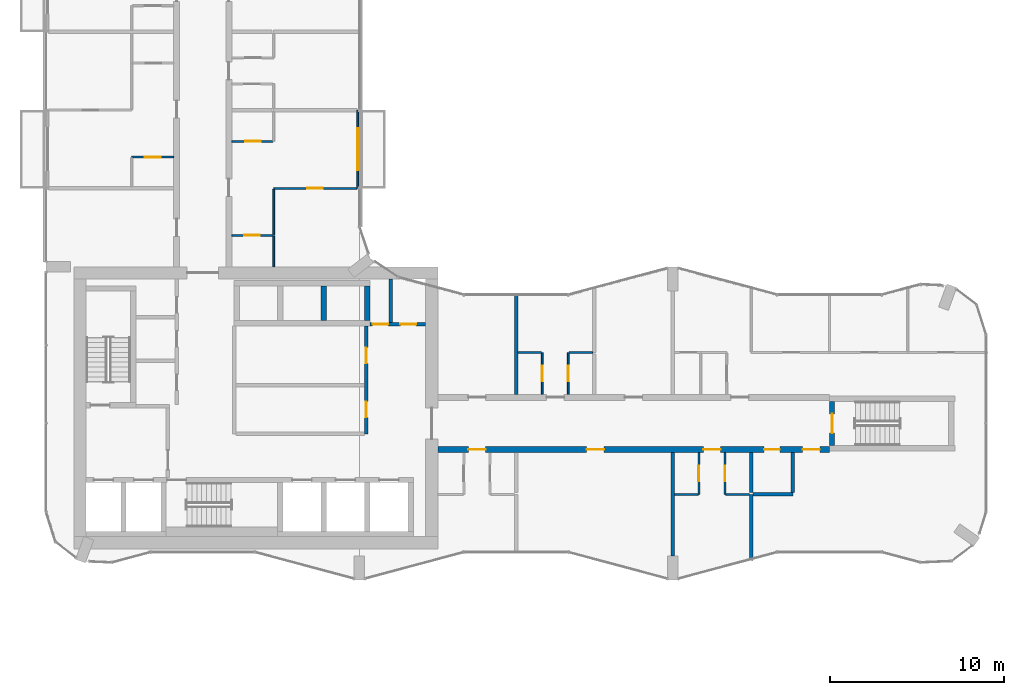
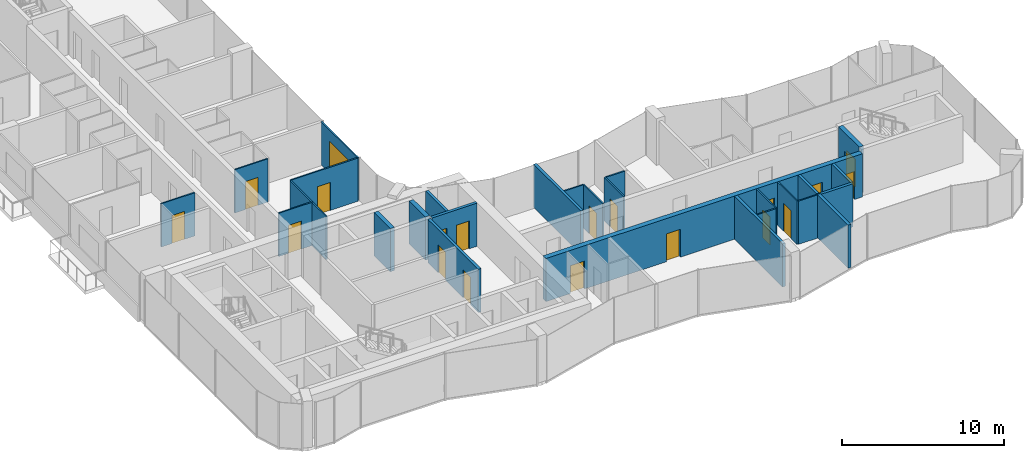
# One storey, part 14 of 22: 28 walls, 19 doors, 19 openings.
"""IFC4 building model written with IfcOpenShell, lengths in metres."""

import ifcopenshell
import ifcopenshell.guid

model = None  # the IFC model being written
_history = None  # IfcOwnerHistory: only IFC2X3 demands one
_inside = {}  # id of a spatial element -> (the spatial element, [elements in it])
_under = {}  # id of a project, library or spatial element -> (it, [spatial elements below it])
_declared = {}  # id of a project -> (the project, [libraries it declares])
_typed = {}  # id of a type object -> (the type object, [elements of that type])
_made_of = {}  # id of a material, layer set ... -> (it, [elements and type objects made of it])


def new_model(schema):
    """Start an empty IFC model of exactly this schema.

    Asked for "IFC4X3", IfcOpenShell would pick the latest addendum, in which some entities
    have other attributes; the version numbers below select the first issue.
    IFC2X3 requires an IfcOwnerHistory on every rooted entity: one is made here for all.
    """
    global model, _history
    if schema == "IFC4X3":
        model = ifcopenshell.file(schema_version=(4, 3, 0, 0))
    else:
        model = ifcopenshell.file(schema=schema)
    _inside.clear()
    _under.clear()
    _declared.clear()
    _typed.clear()
    _made_of.clear()
    _history = None
    if model.schema == "IFC2X3":
        org = make("IfcOrganization", Name="unknown")
        user = make(
            "IfcPersonAndOrganization",
            ThePerson=make("IfcPerson", FamilyName="unknown"),
            TheOrganization=org,
        )
        app = make(
            "IfcApplication",
            ApplicationDeveloper=org,
            Version="unknown",
            ApplicationFullName="unknown",
            ApplicationIdentifier="unknown",
        )
        _history = make(
            "IfcOwnerHistory",
            OwningUser=user,
            OwningApplication=app,
            ChangeAction="ADDED",
            CreationDate=0,
        )
    return model


def make(cls, **values):
    """One entity of the class cls with the attributes given. An attribute that is None is left unset."""
    return model.create_entity(
        cls, **{name: value for name, value in values.items() if value is not None}
    )


def rooted(cls, **values):
    """An entity with a GlobalId (a new one), such as an element, a storey or a relation."""
    return make(cls, GlobalId=ifcopenshell.guid.new(), OwnerHistory=_history, **values)


def si_unit(unit_type, name, prefix=None):
    """IfcSIUnit, for example si_unit("LENGTHUNIT", "METRE", prefix="MILLI")."""
    return make("IfcSIUnit", UnitType=unit_type, Prefix=prefix, Name=name)


def assignment(units):
    """IfcUnitAssignment: the units of a project."""
    return None if units is None else make("IfcUnitAssignment", Units=units)


def point(xyz):
    """IfcCartesianPoint."""
    return None if xyz is None else make("IfcCartesianPoint", Coordinates=xyz)


def direction(xyz):
    """IfcDirection."""
    return None if xyz is None else make("IfcDirection", DirectionRatios=xyz)


def frame(location, z_axis=None, x_axis=None):
    """IfcAxis2Placement3D, a coordinate frame: its origin and axes. An axis left out is left unset."""
    return make(
        "IfcAxis2Placement3D",
        Location=point(location),
        Axis=direction(z_axis),
        RefDirection=direction(x_axis),
    )


def frame_2d(location, x_axis=None):
    """IfcAxis2Placement2D, a coordinate frame in the plane: its origin and x axis."""
    return make(
        "IfcAxis2Placement2D", Location=point(location), RefDirection=direction(x_axis)
    )


def origin():
    """The frame at (0, 0, 0) with its axes left unset."""
    return frame((0.0, 0.0, 0.0))


def place(relative_to, where):
    """IfcLocalPlacement: puts the frame where relative to a parent placement (None: the world)."""
    return make(
        "IfcLocalPlacement", PlacementRelTo=relative_to, RelativePlacement=where
    )


def context(
    kind, dimensions, precision=None, world=None, true_north=None, identifier=None
):
    """IfcGeometricRepresentationContext, for example the 3D "Model" context."""
    return make(
        "IfcGeometricRepresentationContext",
        ContextIdentifier=identifier,
        ContextType=kind,
        CoordinateSpaceDimension=dimensions,
        Precision=precision,
        WorldCoordinateSystem=world,
        TrueNorth=true_north,
    )


def subcontext(parent, identifier, kind, view, scale=None):
    """IfcGeometricRepresentationSubContext, for example "Body" below "Model"."""
    return make(
        "IfcGeometricRepresentationSubContext",
        ContextIdentifier=identifier,
        ContextType=kind,
        ParentContext=parent,
        TargetScale=scale,
        TargetView=view,
    )


def project(units=None, contexts=None):
    """IfcProject with its units and contexts."""
    return rooted(
        "IfcProject",
        Name="project",
        RepresentationContexts=contexts,
        UnitsInContext=assignment(units),
    )


def spatial(cls, under=None, at=None, **own):
    """A site, building, storey or space (cls), placed at a placement, below another one or the project."""
    s = rooted(cls, ObjectPlacement=at, **own)
    if under is not None:
        _under.setdefault(under.id(), (under, []))[1].append(s)
    return s


def profile(cls, at=None, kind="AREA", **sizes):
    """A parametric profile (cls). Its sizes go by their IFC names, for example OverallWidth=200.0."""
    return make(cls, ProfileType=kind, Position=at, **sizes)


def rectangle(**sizes):
    """IfcRectangleProfileDef."""
    return profile("IfcRectangleProfileDef", **sizes)


def extrude(swept, where, along, depth):
    """IfcExtrudedAreaSolid: the profile swept, set in the frame where, extruded along a direction by depth."""
    return make(
        "IfcExtrudedAreaSolid",
        SweptArea=swept,
        Position=where,
        ExtrudedDirection=direction(along),
        Depth=depth,
    )


def shape(context_of_items, identifier, shape_type, items):
    """IfcShapeRepresentation: the items that make up one representation, for example the "Body"."""
    return make(
        "IfcShapeRepresentation",
        ContextOfItems=context_of_items,
        RepresentationIdentifier=identifier,
        RepresentationType=shape_type,
        Items=items,
    )


def material(Name=None, Category=None):
    """IfcMaterial."""
    return make("IfcMaterial", Name=Name, Category=Category)


def layer(
    of_material, thickness, ventilated=None, Name=None, Category=None, Priority=None
):
    """IfcMaterialLayer: one layer of a wall or slab, of a material (None: an air gap)."""
    return make(
        "IfcMaterialLayer",
        Material=of_material,
        LayerThickness=thickness,
        IsVentilated=ventilated,
        Name=Name,
        Category=Category,
        Priority=Priority,
    )


def layer_set(layers, Name=None):
    """IfcMaterialLayerSet."""
    return make("IfcMaterialLayerSet", MaterialLayers=layers, LayerSetName=Name)


def made_of(thing, what):
    """Note that an element or type object is made of a material, layer set ...; save() writes the relation."""
    if what is not None:
        _made_of.setdefault(what.id(), (what, []))[1].append(thing)
    return thing


def type_object(cls, material=None, **own):
    """A type object (cls), such as IfcWallType, which elements share."""
    return made_of(rooted(cls, **own), material)


def element(
    cls,
    number,
    at=None,
    inside=None,
    cuts=None,
    type_object=None,
    material=None,
    context=None,
    identifier="Body",
    shape_type=None,
    held_by="IfcProductDefinitionShape",
    body=None,
    shapes=None,
    **own,
):
    """One element of the class cls, such as IfcWall. Its Tag is "e" and its number.

    at: its placement. inside: the storey or other place that contains it. cuts: it is an
    opening in that element (IfcRelVoidsElement). A single representation is given by context,
    identifier, shape_type and body (its items); several are given by shapes. held_by: the class
    of the entity that holds the representations. save() writes the other relations.
    """
    e = rooted(cls, Tag="e%d" % number, ObjectPlacement=at, **own)
    if body is not None:
        shapes = [shape(context, identifier, shape_type, body)]
    if shapes is not None:
        e.Representation = make(held_by, Representations=shapes)
    if inside is not None:
        _inside.setdefault(inside.id(), (inside, []))[1].append(e)
    if cuts is not None:
        rooted(
            "IfcRelVoidsElement", RelatingBuildingElement=cuts, RelatedOpeningElement=e
        )
    if type_object is not None:
        _typed.setdefault(type_object.id(), (type_object, []))[1].append(e)
    return made_of(e, material)


def fill(opening, filler):
    """IfcRelFillsElement: the door or window that sits in an opening."""
    return rooted(
        "IfcRelFillsElement",
        RelatingOpeningElement=opening,
        RelatedBuildingElement=filler,
    )


def aggregate(whole, parts):
    """IfcRelAggregates: a whole, such as a stair, and the parts it consists of."""
    return rooted("IfcRelAggregates", RelatingObject=whole, RelatedObjects=parts)


def save(model, path):
    """Write the relations noted so far, then the file.

    IfcRelAggregates (storeys below a building ...), IfcRelContainedInSpatialStructure (elements
    in a storey), IfcRelDefinesByType, IfcRelAssociatesMaterial and IfcRelDeclares: one each for
    every whole, place, type object, material and project.
    """
    for whole, parts in _under.values():
        aggregate(whole, parts)
    for where, things in _inside.values():
        rooted(
            "IfcRelContainedInSpatialStructure",
            RelatedElements=things,
            RelatingStructure=where,
        )
    for kind, things in _typed.values():
        rooted("IfcRelDefinesByType", RelatedObjects=things, RelatingType=kind)
    for what, things in _made_of.values():
        rooted("IfcRelAssociatesMaterial", RelatedObjects=things, RelatingMaterial=what)
    for by, libraries in _declared.values():
        rooted("IfcRelDeclares", RelatingContext=by, RelatedDefinitions=libraries)
    model.write(path)


model = new_model("IFC4")

# Units and contexts
model_context = context("Model", 3, precision=1e-05, world=origin(), true_north=direction((0.0, 1.0)))
body_context = subcontext(model_context, "Body", "Model", "MODEL_VIEW")
ifc_project = project(units=[si_unit("LENGTHUNIT", "METRE"), si_unit("AREAUNIT", "SQUARE_METRE"), si_unit("VOLUMEUNIT", "CUBIC_METRE"), si_unit("PLANEANGLEUNIT", "RADIAN"), si_unit("MASSUNIT", "GRAM", prefix="KILO")], contexts=[model_context])

# Site, building, storey
site_placement = place(None, origin())
site = spatial("IfcSite", under=ifc_project, at=site_placement, CompositionType="ELEMENT")
building_placement = place(site_placement, origin())
building = spatial("IfcBuilding", under=site, at=building_placement, Name="Plateau Cross Towers", CompositionType="ELEMENT")
storey_placement = place(building_placement, frame((0.0, 0.0, 61.800048828125)))
storey = spatial("IfcBuildingStorey", under=building, at=storey_placement, Name="L15", CompositionType="ELEMENT", Elevation=61.800048828125)

# Wall, opening, door
ifc_material_1 = material(Name="Aluminium framed glazing", Category="aluminium")
ifc_layer_1 = layer(ifc_material_1, 0.10009765625)
ifc_layer_set_1 = layer_set([ifc_layer_1], Name="Aluminium framed glazing")
wall_type_1 = type_object("IfcWallType", Name="Balcony screen wall 100", PredefinedType="STANDARD", material=ifc_layer_set_1)
wall_1_placement = place(storey_placement, frame((17.89990234375, 27.0, 0.0), z_axis=(0.0, 0.0, 1.0), x_axis=(0.0, -1.0, 0.0)))
wall_1 = element("IfcWall", 1, at=wall_1_placement, inside=storey, type_object=wall_type_1, Name="Balcony screen wall A-BAL-L15-04", PredefinedType="STANDARD", context=body_context, shape_type="SweptSolid", body=[
    extrude(rectangle(XDim=4.5, YDim=0.10009765625, at=frame_2d((2.25, 0.0))), origin(), (0.0, 0.0, 1.0), 3.25),
])
opening_1_placement = place(wall_1_placement, frame((1.050048828125, 0.0, 0.0)))
opening_1 = element("IfcOpeningElement", 2, at=opening_1_placement, cuts=wall_1, Name="Opening D-B24", PredefinedType="OPENING", context=body_context, shape_type="SweptSolid", body=[
    extrude(rectangle(XDim=2.39990234375, YDim=2.39990234375, at=frame_2d((1.199951171875, 1.199951171875))), frame((0.0, 0.06005859375, 0.0), z_axis=(0.0, -1.0, 0.0), x_axis=(1.0, 0.0, 0.0)), (0.0, 0.0, 1.0), 0.1201171875),
])
ifc_material_2 = material(Name="Aluminium frame, double glazing", Category="aluminium")
door_type_1 = type_object("IfcDoorType", Name="Balcony sliding door 2400", OperationType="NOTDEFINED", PredefinedType="DOOR", material=ifc_material_2)
door_1_placement = place(opening_1_placement, origin())
door_1 = element("IfcDoor", 3, at=door_1_placement, inside=storey, type_object=door_type_1, Name="Balcony door A-BAL-L15-04", OperationType="SINGLE_SWING_LEFT", OverallHeight=2.39990234375, OverallWidth=2.39990234375, PredefinedType="DOOR", context=body_context, shape_type="SweptSolid", body=[
    extrude(rectangle(XDim=2.39990234375, YDim=2.39990234375, at=frame_2d((1.199951171875, 1.199951171875))), frame((0.0, 0.02490234375, 0.0), z_axis=(0.0, -1.0, 0.0), x_axis=(1.0, 0.0, 0.0)), (0.0, 0.0, 1.0), 0.050048828125),
])
fill(opening_1, door_1)

# Wall, openings, doors
ifc_material_3 = material(Name="Concrete block, plastered both sides", Category="concrete")
ifc_layer_2 = layer(ifc_material_3, 0.199951171875)
ifc_layer_set_2 = layer_set([ifc_layer_2], Name="Concrete block, plastered both sides")
wall_type_2 = type_object("IfcWallType", Name="Core partition 200", PredefinedType="PARTITIONING", material=ifc_layer_set_2)
wall_2_placement = place(storey_placement, frame((18.39990234375, 8.39990234375, 0.0), z_axis=(0.0, 0.0, 1.0), x_axis=(0.0, 1.0, 0.0)))
wall_2 = element("IfcWall", 4, at=wall_2_placement, inside=storey, type_object=wall_type_2, Name="Core partition", PredefinedType="PARTITIONING", context=body_context, shape_type="SweptSolid", body=[
    extrude(rectangle(XDim=6.2001953125, YDim=0.199951171875, at=frame_2d((3.10009765625, 0.0))), origin(), (0.0, 0.0, 1.0), 3.25),
])
opening_2_placement = place(wall_2_placement, frame((0.949951171875, 0.0, 0.0)))
opening_2 = element("IfcOpeningElement", 5, at=opening_2_placement, cuts=wall_2, Name="Opening RD1", PredefinedType="OPENING", context=body_context, shape_type="SweptSolid", body=[
    extrude(rectangle(XDim=0.89990234375, YDim=2.10009765625, at=frame_2d((0.449951171875, 1.050048828125))), frame((0.0, 0.10986328125, 0.0), z_axis=(0.0, -1.0, 0.0), x_axis=(1.0, 0.0, 0.0)), (0.0, 0.0, 1.0), 0.219970703125),
])
opening_3_placement = place(wall_2_placement, frame((4.050048828125, 0.0, 0.0)))
opening_3 = element("IfcOpeningElement", 6, at=opening_3_placement, cuts=wall_2, Name="Opening RD1", PredefinedType="OPENING", context=body_context, shape_type="SweptSolid", body=[
    extrude(rectangle(XDim=0.89990234375, YDim=2.10009765625, at=frame_2d((0.449951171875, 1.050048828125))), frame((0.0, 0.10986328125, 0.0), z_axis=(0.0, -1.0, 0.0), x_axis=(1.0, 0.0, 0.0)), (0.0, 0.0, 1.0), 0.219970703125),
])
ifc_material_4 = material(Name="Timber, fire-resisting leaf", Category="wood")
door_type_2 = type_object("IfcDoorType", Name="Core service door 900", OperationType="NOTDEFINED", PredefinedType="DOOR", material=ifc_material_4)
door_2_placement = place(opening_2_placement, origin())
door_2 = element("IfcDoor", 7, at=door_2_placement, inside=storey, type_object=door_type_2, Name="Core service door RD1", OperationType="SINGLE_SWING_LEFT", OverallHeight=2.10009765625, OverallWidth=0.89990234375, PredefinedType="DOOR", context=body_context, shape_type="SweptSolid", body=[
    extrude(rectangle(XDim=0.89990234375, YDim=2.10009765625, at=frame_2d((0.449951171875, 1.050048828125))), frame((0.0, 0.02490234375, 0.0), z_axis=(0.0, -1.0, 0.0), x_axis=(1.0, 0.0, 0.0)), (0.0, 0.0, 1.0), 0.050048828125),
])
fill(opening_2, door_2)
door_3_placement = place(opening_3_placement, origin())
door_3 = element("IfcDoor", 8, at=door_3_placement, inside=storey, type_object=door_type_2, Name="Core service door RD1", OperationType="SINGLE_SWING_LEFT", OverallHeight=2.10009765625, OverallWidth=0.89990234375, PredefinedType="DOOR", context=body_context, shape_type="SweptSolid", body=[
    extrude(rectangle(XDim=0.89990234375, YDim=2.10009765625, at=frame_2d((0.449951171875, 1.050048828125))), frame((0.0, 0.02490234375, 0.0), z_axis=(0.0, -1.0, 0.0), x_axis=(1.0, 0.0, 0.0)), (0.0, 0.0, 1.0), 0.050048828125),
])
fill(opening_3, door_3)

wall_3_placement = place(storey_placement, frame((18.60009765625, 14.699951171875, 0.0), z_axis=(0.0, 0.0, 1.0), x_axis=(1.0, 0.0, 0.0)))
wall_3 = element("IfcWall", 9, at=wall_3_placement, inside=storey, type_object=wall_type_2, Name="Core partition", PredefinedType="PARTITIONING", context=body_context, shape_type="SweptSolid", body=[
    extrude(rectangle(XDim=3.199951171875, YDim=0.199951171875, at=frame_2d((1.60009765625, 0.0))), origin(), (0.0, 0.0, 1.0), 3.25),
])
opening_4_placement = place(wall_3_placement, frame((0.14990234375, 0.0, 0.0)))
opening_4 = element("IfcOpeningElement", 10, at=opening_4_placement, cuts=wall_3, Name="Opening RD2", PredefinedType="OPENING", context=body_context, shape_type="SweptSolid", body=[
    extrude(rectangle(XDim=0.89990234375, YDim=2.10009765625, at=frame_2d((0.449951171875, 1.050048828125))), frame((0.0, 0.10986328125, 0.0), z_axis=(0.0, -1.0, 0.0), x_axis=(1.0, 0.0, 0.0)), (0.0, 0.0, 1.0), 0.219970703125),
])
opening_5_placement = place(wall_3_placement, frame((1.75, 0.0, 0.0)))
opening_5 = element("IfcOpeningElement", 11, at=opening_5_placement, cuts=wall_3, Name="Opening RD2", PredefinedType="OPENING", context=body_context, shape_type="SweptSolid", body=[
    extrude(rectangle(XDim=0.89990234375, YDim=2.10009765625, at=frame_2d((0.449951171875, 1.050048828125))), frame((0.0, 0.10986328125, 0.0), z_axis=(0.0, -1.0, 0.0), x_axis=(1.0, 0.0, 0.0)), (0.0, 0.0, 1.0), 0.219970703125),
])
ifc_material_5 = material(Name="Steel, fire-resisting leaf", Category="steel")
door_type_3 = type_object("IfcDoorType", Name="Core riser door 900", OperationType="NOTDEFINED", PredefinedType="DOOR", material=ifc_material_5)
door_4_placement = place(opening_4_placement, origin())
door_4 = element("IfcDoor", 12, at=door_4_placement, inside=storey, type_object=door_type_3, Name="Core riser door RD2", OperationType="SINGLE_SWING_LEFT", OverallHeight=2.10009765625, OverallWidth=0.89990234375, PredefinedType="DOOR", context=body_context, shape_type="SweptSolid", body=[
    extrude(rectangle(XDim=0.89990234375, YDim=2.10009765625, at=frame_2d((0.449951171875, 1.050048828125))), frame((0.0, 0.02490234375, 0.0), z_axis=(0.0, -1.0, 0.0), x_axis=(1.0, 0.0, 0.0)), (0.0, 0.0, 1.0), 0.050048828125),
])
fill(opening_4, door_4)
door_5_placement = place(opening_5_placement, origin())
door_5 = element("IfcDoor", 13, at=door_5_placement, inside=storey, type_object=door_type_3, Name="Core riser door RD2", OperationType="SINGLE_SWING_LEFT", OverallHeight=2.10009765625, OverallWidth=0.89990234375, PredefinedType="DOOR", context=body_context, shape_type="SweptSolid", body=[
    extrude(rectangle(XDim=0.89990234375, YDim=2.10009765625, at=frame_2d((0.449951171875, 1.050048828125))), frame((0.0, 0.02490234375, 0.0), z_axis=(0.0, -1.0, 0.0), x_axis=(1.0, 0.0, 0.0)), (0.0, 0.0, 1.0), 0.050048828125),
])
fill(opening_5, door_5)

# Walls
wall_4_placement = place(storey_placement, frame((19.800048828125, 14.800048828125, 0.0), z_axis=(0.0, 0.0, 1.0), x_axis=(0.0, 1.0, 0.0)))
element("IfcWall", 14, at=wall_4_placement, inside=storey, type_object=wall_type_2, Name="Core partition", PredefinedType="PARTITIONING", context=body_context, shape_type="SweptSolid", body=[
    extrude(rectangle(XDim=2.5, YDim=0.199951171875, at=frame_2d((1.25, 0.0))), origin(), (0.0, 0.0, 1.0), 3.25),
])
ifc_material_6 = material(Name="Concrete C60/75", Category="concrete")
ifc_layer_3 = layer(ifc_material_6, 0.300048828125)
ifc_layer_set_3 = layer_set([ifc_layer_3], Name="Concrete C60/75")
wall_type_3 = type_object("IfcWallType", Name="Core shaft wall 300", PredefinedType="SHEAR", material=ifc_layer_set_3)
for number, where, z_axis, x_axis, name in (
    (15, (15.949951171875, 14.89990234375, 0.0), (0.0, 0.0, 1.0), (0.0, 1.0, 0.0), "A-nb-v3@L15"),
    (16, (18.449951171875, 14.89990234375, 0.0), (0.0, 0.0, 1.0), (0.0, 1.0, 0.0), "A-nb-v4@L15"),
):
    element("IfcWall", number, at=place(storey_placement, frame(where, z_axis=z_axis, x_axis=x_axis)), inside=storey, type_object=wall_type_3, Name=name, PredefinedType="SHEAR", context=body_context, shape_type="SweptSolid", body=[
        extrude(rectangle(XDim=2.0, YDim=0.300048828125, at=frame_2d((1.0, 0.0))), origin(), (0.0, 0.0, 1.0), 3.25),
    ])

# Wall, openings, doors
ifc_layer_4 = layer(ifc_material_6, 0.35009765625)
ifc_layer_set_4 = layer_set([ifc_layer_4], Name="Concrete C60/75")
wall_type_4 = type_object("IfcWallType", Name="Corridor wall 350", PredefinedType="SHEAR", material=ifc_layer_set_4)
wall_5_placement = place(storey_placement, frame((22.5, 7.5, 0.0), z_axis=(0.0, 0.0, 1.0), x_axis=(1.0, 0.0, 0.0)))
wall_5 = element("IfcWall", 17, at=wall_5_placement, inside=storey, type_object=wall_type_4, Name="A-cw-S1@L15", PredefinedType="SHEAR", context=body_context, shape_type="SweptSolid", body=[
    extrude(rectangle(XDim=22.5, YDim=0.35009765625, at=frame_2d((11.25, 0.0))), origin(), (0.0, 0.0, 1.0), 3.25),
])
opening_6_placement = place(wall_5_placement, frame((1.75, 0.0, 0.0)))
opening_6 = element("IfcOpeningElement", 18, at=opening_6_placement, cuts=wall_5, Name="Opening 15-01", PredefinedType="OPENING", context=body_context, shape_type="SweptSolid", body=[
    extrude(rectangle(XDim=1.0, YDim=2.10009765625, at=frame_2d((0.5, 1.050048828125))), frame((0.0, 0.18505859375, 0.0), z_axis=(0.0, -1.0, 0.0), x_axis=(1.0, 0.0, 0.0)), (0.0, 0.0, 1.0), 0.3701171875),
])
opening_7_placement = place(wall_5_placement, frame((8.550048828125, 0.0, 0.0)))
opening_7 = element("IfcOpeningElement", 19, at=opening_7_placement, cuts=wall_5, Name="Opening 15-02", PredefinedType="OPENING", context=body_context, shape_type="SweptSolid", body=[
    extrude(rectangle(XDim=1.0, YDim=2.10009765625, at=frame_2d((0.5, 1.050048828125))), frame((0.0, 0.18505859375, 0.0), z_axis=(0.0, -1.0, 0.0), x_axis=(1.0, 0.0, 0.0)), (0.0, 0.0, 1.0), 0.3701171875),
])
opening_8_placement = place(wall_5_placement, frame((15.25, 0.0, 0.0)))
opening_8 = element("IfcOpeningElement", 20, at=opening_8_placement, cuts=wall_5, Name="Opening 15-03", PredefinedType="OPENING", context=body_context, shape_type="SweptSolid", body=[
    extrude(rectangle(XDim=1.0, YDim=2.10009765625, at=frame_2d((0.5, 1.050048828125))), frame((0.0, 0.18505859375, 0.0), z_axis=(0.0, -1.0, 0.0), x_axis=(1.0, 0.0, 0.0)), (0.0, 0.0, 1.0), 0.3701171875),
])
opening_9_placement = place(wall_5_placement, frame((18.75, 0.0, 0.0)))
opening_9 = element("IfcOpeningElement", 21, at=opening_9_placement, cuts=wall_5, Name="Opening 15-04", PredefinedType="OPENING", context=body_context, shape_type="SweptSolid", body=[
    extrude(rectangle(XDim=0.89990234375, YDim=2.10009765625, at=frame_2d((0.449951171875, 1.050048828125))), frame((0.0, 0.18505859375, 0.0), z_axis=(0.0, -1.0, 0.0), x_axis=(1.0, 0.0, 0.0)), (0.0, 0.0, 1.0), 0.3701171875),
])
opening_10_placement = place(wall_5_placement, frame((20.949951171875, 0.0, 0.0)))
opening_10 = element("IfcOpeningElement", 22, at=opening_10_placement, cuts=wall_5, Name="Opening 15-05", PredefinedType="OPENING", context=body_context, shape_type="SweptSolid", body=[
    extrude(rectangle(XDim=1.0, YDim=2.10009765625, at=frame_2d((0.5, 1.050048828125))), frame((0.0, 0.18505859375, 0.0), z_axis=(0.0, -1.0, 0.0), x_axis=(1.0, 0.0, 0.0)), (0.0, 0.0, 1.0), 0.3701171875),
])
door_type_4 = type_object("IfcDoorType", Name="Flat entrance door 1000", OperationType="NOTDEFINED", PredefinedType="DOOR", material=ifc_material_4)
door_6_placement = place(opening_6_placement, origin())
door_6 = element("IfcDoor", 23, at=door_6_placement, inside=storey, type_object=door_type_4, Name="Door 15-01", OperationType="SINGLE_SWING_LEFT", OverallHeight=2.10009765625, OverallWidth=1.0, PredefinedType="DOOR", context=body_context, shape_type="SweptSolid", body=[
    extrude(rectangle(XDim=1.0, YDim=2.10009765625, at=frame_2d((0.5, 1.050048828125))), frame((0.0, 0.02490234375, 0.0), z_axis=(0.0, -1.0, 0.0), x_axis=(1.0, 0.0, 0.0)), (0.0, 0.0, 1.0), 0.050048828125),
])
fill(opening_6, door_6)
door_7_placement = place(opening_7_placement, origin())
door_7 = element("IfcDoor", 24, at=door_7_placement, inside=storey, type_object=door_type_4, Name="Door 15-02", OperationType="SINGLE_SWING_LEFT", OverallHeight=2.10009765625, OverallWidth=1.0, PredefinedType="DOOR", context=body_context, shape_type="SweptSolid", body=[
    extrude(rectangle(XDim=1.0, YDim=2.10009765625, at=frame_2d((0.5, 1.050048828125))), frame((0.0, 0.02490234375, 0.0), z_axis=(0.0, -1.0, 0.0), x_axis=(1.0, 0.0, 0.0)), (0.0, 0.0, 1.0), 0.050048828125),
])
fill(opening_7, door_7)
door_8_placement = place(opening_8_placement, origin())
door_8 = element("IfcDoor", 25, at=door_8_placement, inside=storey, type_object=door_type_4, Name="Door 15-03", OperationType="SINGLE_SWING_RIGHT", OverallHeight=2.10009765625, OverallWidth=1.0, PredefinedType="DOOR", context=body_context, shape_type="SweptSolid", body=[
    extrude(rectangle(XDim=1.0, YDim=2.10009765625, at=frame_2d((0.5, 1.050048828125))), frame((0.0, 0.02490234375, 0.0), z_axis=(0.0, -1.0, 0.0), x_axis=(1.0, 0.0, 0.0)), (0.0, 0.0, 1.0), 0.050048828125),
])
fill(opening_8, door_8)
door_9_placement = place(opening_10_placement, origin())
door_9 = element("IfcDoor", 26, at=door_9_placement, inside=storey, type_object=door_type_4, Name="Door 15-05", OperationType="SINGLE_SWING_RIGHT", OverallHeight=2.10009765625, OverallWidth=1.0, PredefinedType="DOOR", context=body_context, shape_type="SweptSolid", body=[
    extrude(rectangle(XDim=1.0, YDim=2.10009765625, at=frame_2d((0.5, 1.050048828125))), frame((0.0, 0.02490234375, 0.0), z_axis=(0.0, -1.0, 0.0), x_axis=(1.0, 0.0, 0.0)), (0.0, 0.0, 1.0), 0.050048828125),
])
fill(opening_10, door_9)
door_type_5 = type_object("IfcDoorType", Name="Flat floor service door 900", OperationType="NOTDEFINED", PredefinedType="DOOR", material=ifc_material_4)
door_10_placement = place(opening_9_placement, origin())
door_10 = element("IfcDoor", 27, at=door_10_placement, inside=storey, type_object=door_type_5, Name="Door 15-04", OperationType="SINGLE_SWING_RIGHT", OverallHeight=2.10009765625, OverallWidth=0.89990234375, PredefinedType="DOOR", context=body_context, shape_type="SweptSolid", body=[
    extrude(rectangle(XDim=0.89990234375, YDim=2.10009765625, at=frame_2d((0.449951171875, 1.050048828125))), frame((0.0, 0.02490234375, 0.0), z_axis=(0.0, -1.0, 0.0), x_axis=(1.0, 0.0, 0.0)), (0.0, 0.0, 1.0), 0.050048828125),
])
fill(opening_9, door_10)

# Walls
ifc_material_7 = material(Name="Gypsum board on steel studs", Category="steel")
ifc_layer_5 = layer(ifc_material_7, 0.10009765625)
ifc_layer_set_5 = layer_set([ifc_layer_5], Name="Gypsum board on steel studs")
wall_type_5 = type_object("IfcWallType", Name="Flat partition 100", PredefinedType="PARTITIONING", material=ifc_layer_set_5)
for number, where, z_axis, x_axis, name in (
    (28, (36.10009765625, 4.925048828125, 0.0), (0.0, 0.0, 1.0), (1.0, 0.0, 0.0), "Partition wall"),
    (29, (39.050048828125, 4.925048828125, 0.0), (0.0, 0.0, 1.0), (1.0, 0.0, 0.0), "Partition wall"),
    (30, (28.449951171875, 13.074951171875, 0.0), (0.0, 0.0, 1.0), (-1.0, 0.0, 0.0), "Partition wall"),
    (31, (31.39990234375, 13.074951171875, 0.0), (0.0, 0.0, 1.0), (-1.0, 0.0, 0.0), "Partition wall"),
):
    element("IfcWall", number, at=place(storey_placement, frame(where, z_axis=z_axis, x_axis=x_axis)), inside=storey, type_object=wall_type_5, Name=name, PredefinedType="PARTITIONING", context=body_context, shape_type="SweptSolid", body=[
        extrude(rectangle(XDim=1.349853515625, YDim=0.10009765625, at=frame_2d((0.6748046875, 0.0))), origin(), (0.0, 0.0, 1.0), 3.25),
    ])

# Wall, opening, door
wall_6_placement = place(storey_placement, frame((13.02490234375, 19.800048828125, 0.0), z_axis=(0.0, 0.0, 1.0), x_axis=(-1.0, 0.0, 0.0)))
wall_6 = element("IfcWall", 32, at=wall_6_placement, inside=storey, type_object=wall_type_5, Name="Partition wall", PredefinedType="PARTITIONING", context=body_context, shape_type="SweptSolid", body=[
    extrude(rectangle(XDim=2.349853515625, YDim=0.10009765625, at=frame_2d((1.1748046875, 0.0))), origin(), (0.0, 0.0, 1.0), 3.25),
])
opening_11_placement = place(wall_6_placement, frame((0.75, 0.0, 0.0)))
opening_11 = element("IfcOpeningElement", 33, at=opening_11_placement, cuts=wall_6, Name="Opening 15-41", PredefinedType="OPENING", context=body_context, shape_type="SweptSolid", body=[
    extrude(rectangle(XDim=0.89990234375, YDim=2.10009765625, at=frame_2d((0.449951171875, 1.050048828125))), frame((0.0, 0.06005859375, 0.0), z_axis=(0.0, -1.0, 0.0), x_axis=(1.0, 0.0, 0.0)), (0.0, 0.0, 1.0), 0.1201171875),
])
ifc_material_8 = material(Name="Timber leaf", Category="wood")
door_type_6 = type_object("IfcDoorType", Name="Flat room door 900", OperationType="NOTDEFINED", PredefinedType="DOOR", material=ifc_material_8)
door_11_placement = place(opening_11_placement, origin())
door_11 = element("IfcDoor", 34, at=door_11_placement, inside=storey, type_object=door_type_6, Name="Door 15-41", OperationType="SINGLE_SWING_RIGHT", OverallHeight=2.10009765625, OverallWidth=0.89990234375, PredefinedType="DOOR", context=body_context, shape_type="SweptSolid", body=[
    extrude(rectangle(XDim=0.89990234375, YDim=2.10009765625, at=frame_2d((0.449951171875, 1.050048828125))), frame((0.0, 0.02490234375, 0.0), z_axis=(0.0, -1.0, 0.0), x_axis=(1.0, 0.0, 0.0)), (0.0, 0.0, 1.0), 0.050048828125),
])
fill(opening_11, door_11)

wall_7_placement = place(storey_placement, frame((17.85009765625, 22.5, 0.0), z_axis=(0.0, 0.0, 1.0), x_axis=(-1.0, 0.0, 0.0)))
wall_7 = element("IfcWall", 35, at=wall_7_placement, inside=storey, type_object=wall_type_5, Name="Partition wall", PredefinedType="PARTITIONING", context=body_context, shape_type="SweptSolid", body=[
    extrude(rectangle(XDim=4.775146484375, YDim=0.10009765625, at=frame_2d((2.3876953125, 0.0))), origin(), (0.0, 0.0, 1.0), 3.25),
])
opening_12_placement = place(wall_7_placement, frame((1.949951171875, 0.0, 0.0)))
opening_12 = element("IfcOpeningElement", 36, at=opening_12_placement, cuts=wall_7, Name="Opening 15-43", PredefinedType="OPENING", context=body_context, shape_type="SweptSolid", body=[
    extrude(rectangle(XDim=0.89990234375, YDim=2.10009765625, at=frame_2d((0.449951171875, 1.050048828125))), frame((0.0, 0.06005859375, 0.0), z_axis=(0.0, -1.0, 0.0), x_axis=(1.0, 0.0, 0.0)), (0.0, 0.0, 1.0), 0.1201171875),
])
door_12_placement = place(opening_12_placement, origin())
door_12 = element("IfcDoor", 37, at=door_12_placement, inside=storey, type_object=door_type_6, Name="Door 15-43", OperationType="SINGLE_SWING_RIGHT", OverallHeight=2.10009765625, OverallWidth=0.89990234375, PredefinedType="DOOR", context=body_context, shape_type="SweptSolid", body=[
    extrude(rectangle(XDim=0.89990234375, YDim=2.10009765625, at=frame_2d((0.449951171875, 1.050048828125))), frame((0.0, 0.02490234375, 0.0), z_axis=(0.0, -1.0, 0.0), x_axis=(1.0, 0.0, 0.0)), (0.0, 0.0, 1.0), 0.050048828125),
])
fill(opening_12, door_12)

wall_8_placement = place(storey_placement, frame((7.324951171875, 24.300048828125, 0.0), z_axis=(0.0, 0.0, 1.0), x_axis=(-1.0, 0.0, 0.0)))
wall_8 = element("IfcWall", 38, at=wall_8_placement, inside=storey, type_object=wall_type_5, Name="Partition wall", PredefinedType="PARTITIONING", context=body_context, shape_type="SweptSolid", body=[
    extrude(rectangle(XDim=2.39990234375, YDim=0.10009765625, at=frame_2d((1.199951171875, 0.0))), origin(), (0.0, 0.0, 1.0), 3.25),
])
opening_13_placement = place(wall_8_placement, frame((0.75, 0.0, 0.0)))
opening_13 = element("IfcOpeningElement", 39, at=opening_13_placement, cuts=wall_8, Name="Opening 15-31", PredefinedType="OPENING", context=body_context, shape_type="SweptSolid", body=[
    extrude(rectangle(XDim=0.89990234375, YDim=2.10009765625, at=frame_2d((0.449951171875, 1.050048828125))), frame((0.0, 0.06005859375, 0.0), z_axis=(0.0, -1.0, 0.0), x_axis=(1.0, 0.0, 0.0)), (0.0, 0.0, 1.0), 0.1201171875),
])
door_13_placement = place(opening_13_placement, origin())
door_13 = element("IfcDoor", 40, at=door_13_placement, inside=storey, type_object=door_type_6, Name="Door 15-31", OperationType="SINGLE_SWING_LEFT", OverallHeight=2.10009765625, OverallWidth=0.89990234375, PredefinedType="DOOR", context=body_context, shape_type="SweptSolid", body=[
    extrude(rectangle(XDim=0.89990234375, YDim=2.10009765625, at=frame_2d((0.449951171875, 1.050048828125))), frame((0.0, 0.02490234375, 0.0), z_axis=(0.0, -1.0, 0.0), x_axis=(1.0, 0.0, 0.0)), (0.0, 0.0, 1.0), 0.050048828125),
])
fill(opening_13, door_13)

wall_9_placement = place(storey_placement, frame((10.675048828125, 25.199951171875, 0.0), z_axis=(0.0, 0.0, 1.0), x_axis=(1.0, 0.0, 0.0)))
wall_9 = element("IfcWall", 41, at=wall_9_placement, inside=storey, type_object=wall_type_5, Name="Partition wall", PredefinedType="PARTITIONING", context=body_context, shape_type="SweptSolid", body=[
    extrude(rectangle(XDim=2.349853515625, YDim=0.10009765625, at=frame_2d((1.1748046875, 0.0))), origin(), (0.0, 0.0, 1.0), 3.25),
])
opening_14_placement = place(wall_9_placement, frame((0.75, 0.0, 0.0)))
opening_14 = element("IfcOpeningElement", 42, at=opening_14_placement, cuts=wall_9, Name="Opening 15-42", PredefinedType="OPENING", context=body_context, shape_type="SweptSolid", body=[
    extrude(rectangle(XDim=0.89990234375, YDim=2.10009765625, at=frame_2d((0.449951171875, 1.050048828125))), frame((0.0, 0.06005859375, 0.0), z_axis=(0.0, -1.0, 0.0), x_axis=(1.0, 0.0, 0.0)), (0.0, 0.0, 1.0), 0.1201171875),
])
door_14_placement = place(opening_14_placement, origin())
door_14 = element("IfcDoor", 43, at=door_14_placement, inside=storey, type_object=door_type_6, Name="Door 15-42", OperationType="SINGLE_SWING_RIGHT", OverallHeight=2.10009765625, OverallWidth=0.89990234375, PredefinedType="DOOR", context=body_context, shape_type="SweptSolid", body=[
    extrude(rectangle(XDim=0.89990234375, YDim=2.10009765625, at=frame_2d((0.449951171875, 1.050048828125))), frame((0.0, 0.02490234375, 0.0), z_axis=(0.0, -1.0, 0.0), x_axis=(1.0, 0.0, 0.0)), (0.0, 0.0, 1.0), 0.050048828125),
])
fill(opening_14, door_14)

# Walls
wall_10_placement = place(storey_placement, frame((13.074951171875, 22.449951171875, 0.0), z_axis=(0.0, 0.0, 1.0), x_axis=(0.0, -1.0, 0.0)))
element("IfcWall", 44, at=wall_10_placement, inside=storey, type_object=wall_type_5, Name="Partition wall", PredefinedType="PARTITIONING", context=body_context, shape_type="SweptSolid", body=[
    extrude(rectangle(XDim=2.64990234375, YDim=0.10009765625, at=frame_2d((1.324951171875, 0.0))), origin(), (0.0, 0.0, 1.0), 3.25),
])
wall_11_placement = place(storey_placement, frame((13.074951171875, 18.0, 0.0), z_axis=(0.0, 0.0, 1.0), x_axis=(0.0, 1.0, 0.0)))
element("IfcWall", 45, at=wall_11_placement, inside=storey, type_object=wall_type_5, Name="Partition wall", PredefinedType="PARTITIONING", context=body_context, shape_type="SweptSolid", body=[
    extrude(rectangle(XDim=1.75, YDim=0.10009765625, at=frame_2d((0.875, 0.0))), origin(), (0.0, 0.0, 1.0), 3.25),
])

# Wall, opening, door
wall_12_placement = place(storey_placement, frame((28.5, 10.675048828125, 0.0), z_axis=(0.0, 0.0, 1.0), x_axis=(0.0, 1.0, 0.0)))
wall_12 = element("IfcWall", 46, at=wall_12_placement, inside=storey, type_object=wall_type_5, Name="Partition wall", PredefinedType="PARTITIONING", context=body_context, shape_type="SweptSolid", body=[
    extrude(rectangle(XDim=2.39990234375, YDim=0.10009765625, at=frame_2d((1.199951171875, 0.0))), origin(), (0.0, 0.0, 1.0), 3.25),
])
opening_15_placement = place(wall_12_placement, frame((0.75, 0.0, 0.0)))
opening_15 = element("IfcOpeningElement", 47, at=opening_15_placement, cuts=wall_12, Name="Opening 15-24", PredefinedType="OPENING", context=body_context, shape_type="SweptSolid", body=[
    extrude(rectangle(XDim=0.89990234375, YDim=2.10009765625, at=frame_2d((0.449951171875, 1.050048828125))), frame((0.0, 0.06005859375, 0.0), z_axis=(0.0, -1.0, 0.0), x_axis=(1.0, 0.0, 0.0)), (0.0, 0.0, 1.0), 0.1201171875),
])
door_15_placement = place(opening_15_placement, origin())
door_15 = element("IfcDoor", 48, at=door_15_placement, inside=storey, type_object=door_type_6, Name="Door 15-24", OperationType="SINGLE_SWING_RIGHT", OverallHeight=2.10009765625, OverallWidth=0.89990234375, PredefinedType="DOOR", context=body_context, shape_type="SweptSolid", body=[
    extrude(rectangle(XDim=0.89990234375, YDim=2.10009765625, at=frame_2d((0.449951171875, 1.050048828125))), frame((0.0, 0.02490234375, 0.0), z_axis=(0.0, -1.0, 0.0), x_axis=(1.0, 0.0, 0.0)), (0.0, 0.0, 1.0), 0.050048828125),
])
fill(opening_15, door_15)

wall_13_placement = place(storey_placement, frame((30.0, 13.074951171875, 0.0), z_axis=(0.0, 0.0, 1.0), x_axis=(0.0, -1.0, 0.0)))
wall_13 = element("IfcWall", 49, at=wall_13_placement, inside=storey, type_object=wall_type_5, Name="Partition wall", PredefinedType="PARTITIONING", context=body_context, shape_type="SweptSolid", body=[
    extrude(rectangle(XDim=2.39990234375, YDim=0.10009765625, at=frame_2d((1.199951171875, 0.0))), origin(), (0.0, 0.0, 1.0), 3.25),
])
opening_16_placement = place(wall_13_placement, frame((0.75, 0.0, 0.0)))
opening_16 = element("IfcOpeningElement", 50, at=opening_16_placement, cuts=wall_13, Name="Opening 15-25", PredefinedType="OPENING", context=body_context, shape_type="SweptSolid", body=[
    extrude(rectangle(XDim=0.89990234375, YDim=2.10009765625, at=frame_2d((0.449951171875, 1.050048828125))), frame((0.0, 0.06005859375, 0.0), z_axis=(0.0, -1.0, 0.0), x_axis=(1.0, 0.0, 0.0)), (0.0, 0.0, 1.0), 0.1201171875),
])
door_16_placement = place(opening_16_placement, origin())
door_16 = element("IfcDoor", 51, at=door_16_placement, inside=storey, type_object=door_type_6, Name="Door 15-25", OperationType="SINGLE_SWING_RIGHT", OverallHeight=2.10009765625, OverallWidth=0.89990234375, PredefinedType="DOOR", context=body_context, shape_type="SweptSolid", body=[
    extrude(rectangle(XDim=0.89990234375, YDim=2.10009765625, at=frame_2d((0.449951171875, 1.050048828125))), frame((0.0, 0.02490234375, 0.0), z_axis=(0.0, -1.0, 0.0), x_axis=(1.0, 0.0, 0.0)), (0.0, 0.0, 1.0), 0.050048828125),
])
fill(opening_16, door_16)

wall_14_placement = place(storey_placement, frame((37.5, 4.925048828125, 0.0), z_axis=(0.0, 0.0, 1.0), x_axis=(0.0, 1.0, 0.0)))
wall_14 = element("IfcWall", 52, at=wall_14_placement, inside=storey, type_object=wall_type_5, Name="Partition wall", PredefinedType="PARTITIONING", context=body_context, shape_type="SweptSolid", body=[
    extrude(rectangle(XDim=2.39990234375, YDim=0.10009765625, at=frame_2d((1.199951171875, 0.0))), origin(), (0.0, 0.0, 1.0), 3.25),
])
opening_17_placement = place(wall_14_placement, frame((0.75, 0.0, 0.0)))
opening_17 = element("IfcOpeningElement", 53, at=opening_17_placement, cuts=wall_14, Name="Opening 15-22", PredefinedType="OPENING", context=body_context, shape_type="SweptSolid", body=[
    extrude(rectangle(XDim=0.89990234375, YDim=2.10009765625, at=frame_2d((0.449951171875, 1.050048828125))), frame((0.0, 0.06005859375, 0.0), z_axis=(0.0, -1.0, 0.0), x_axis=(1.0, 0.0, 0.0)), (0.0, 0.0, 1.0), 0.1201171875),
])
door_17_placement = place(opening_17_placement, origin())
door_17 = element("IfcDoor", 54, at=door_17_placement, inside=storey, type_object=door_type_6, Name="Door 15-22", OperationType="SINGLE_SWING_LEFT", OverallHeight=2.10009765625, OverallWidth=0.89990234375, PredefinedType="DOOR", context=body_context, shape_type="SweptSolid", body=[
    extrude(rectangle(XDim=0.89990234375, YDim=2.10009765625, at=frame_2d((0.449951171875, 1.050048828125))), frame((0.0, 0.02490234375, 0.0), z_axis=(0.0, -1.0, 0.0), x_axis=(1.0, 0.0, 0.0)), (0.0, 0.0, 1.0), 0.050048828125),
])
fill(opening_17, door_17)

wall_15_placement = place(storey_placement, frame((39.0, 7.324951171875, 0.0), z_axis=(0.0, 0.0, 1.0), x_axis=(0.0, -1.0, 0.0)))
wall_15 = element("IfcWall", 55, at=wall_15_placement, inside=storey, type_object=wall_type_5, Name="Partition wall", PredefinedType="PARTITIONING", context=body_context, shape_type="SweptSolid", body=[
    extrude(rectangle(XDim=2.39990234375, YDim=0.10009765625, at=frame_2d((1.199951171875, 0.0))), origin(), (0.0, 0.0, 1.0), 3.25),
])
opening_18_placement = place(wall_15_placement, frame((0.75, 0.0, 0.0)))
opening_18 = element("IfcOpeningElement", 56, at=opening_18_placement, cuts=wall_15, Name="Opening 15-23", PredefinedType="OPENING", context=body_context, shape_type="SweptSolid", body=[
    extrude(rectangle(XDim=0.89990234375, YDim=2.10009765625, at=frame_2d((0.449951171875, 1.050048828125))), frame((0.0, 0.06005859375, 0.0), z_axis=(0.0, -1.0, 0.0), x_axis=(1.0, 0.0, 0.0)), (0.0, 0.0, 1.0), 0.1201171875),
])
door_18_placement = place(opening_18_placement, origin())
door_18 = element("IfcDoor", 57, at=door_18_placement, inside=storey, type_object=door_type_6, Name="Door 15-23", OperationType="SINGLE_SWING_LEFT", OverallHeight=2.10009765625, OverallWidth=0.89990234375, PredefinedType="DOOR", context=body_context, shape_type="SweptSolid", body=[
    extrude(rectangle(XDim=0.89990234375, YDim=2.10009765625, at=frame_2d((0.449951171875, 1.050048828125))), frame((0.0, 0.02490234375, 0.0), z_axis=(0.0, -1.0, 0.0), x_axis=(1.0, 0.0, 0.0)), (0.0, 0.0, 1.0), 0.050048828125),
])
fill(opening_18, door_18)

# Walls
ifc_material_9 = material(Name="Gypsum board on steel studs, two layers each side", Category="steel")
ifc_layer_6 = layer(ifc_material_9, 0.199951171875)
ifc_layer_set_6 = layer_set([ifc_layer_6], Name="Gypsum board on steel studs, two layers each side")
wall_type_6 = type_object("IfcWallType", Name="Flat party wall 200", PredefinedType="PARTITIONING", material=ifc_layer_set_6)
wall_16_placement = place(storey_placement, frame((40.60009765625, 4.925048828125, 0.0), z_axis=(0.0, 0.0, 1.0), x_axis=(1.0, 0.0, 0.0)))
element("IfcWall", 58, at=wall_16_placement, inside=storey, type_object=wall_type_6, Name="Party wall", PredefinedType="PARTITIONING", context=body_context, shape_type="SweptSolid", body=[
    extrude(rectangle(XDim=2.2998046875, YDim=0.199951171875, at=frame_2d((1.14990234375, 0.0))), origin(), (0.0, 0.0, 1.0), 3.25),
])
wall_17_placement = place(storey_placement, frame((27.0, 10.675048828125, 0.0), z_axis=(0.0, 0.0, 1.0), x_axis=(0.0, 1.0, 0.0)))
element("IfcWall", 59, at=wall_17_placement, inside=storey, type_object=wall_type_6, Name="Party wall", PredefinedType="PARTITIONING", context=body_context, shape_type="SweptSolid", body=[
    extrude(rectangle(XDim=5.798095703125, YDim=0.199951171875, at=frame_2d((2.89892578125, 0.0))), origin(), (0.0, 0.0, 1.0), 3.25),
])
wall_18_placement = place(storey_placement, frame((36.0, 1.39990234375, 0.0), z_axis=(0.0, 0.0, 1.0), x_axis=(0.0, 1.0, 0.0)))
element("IfcWall", 60, at=wall_18_placement, inside=storey, type_object=wall_type_6, Name="Party wall", PredefinedType="PARTITIONING", context=body_context, shape_type="SweptSolid", body=[
    extrude(rectangle(XDim=5.925048828125, YDim=0.199951171875, at=frame_2d((2.96240234375, 0.0))), origin(), (0.0, 0.0, 1.0), 3.25),
])
wall_19_placement = place(storey_placement, frame((40.5, 4.925048828125, 0.0), z_axis=(0.0, 0.0, 1.0), x_axis=(0.0, -1.0, 0.0)))
element("IfcWall", 61, at=wall_19_placement, inside=storey, type_object=wall_type_6, Name="Party wall", PredefinedType="PARTITIONING", context=body_context, shape_type="SweptSolid", body=[
    extrude(rectangle(XDim=3.802734375, YDim=0.199951171875, at=frame_2d((1.9013671875, 0.0))), origin(), (0.0, 0.0, 1.0), 3.25),
])
for number, where, z_axis, x_axis, name in (
    (62, (40.5, 5.02490234375, 0.0), (0.0, 0.0, 1.0), (0.0, 1.0, 0.0), "Party wall"),
    (63, (42.89990234375, 5.02490234375, 0.0), (0.0, 0.0, 1.0), (0.0, 1.0, 0.0), "Party wall"),
):
    element("IfcWall", number, at=place(storey_placement, frame(where, z_axis=z_axis, x_axis=x_axis)), inside=storey, type_object=wall_type_6, Name=name, PredefinedType="PARTITIONING", context=body_context, shape_type="SweptSolid", body=[
        extrude(rectangle(XDim=2.300048828125, YDim=0.199951171875, at=frame_2d((1.14990234375, 0.0))), origin(), (0.0, 0.0, 1.0), 3.25),
    ])

# Wall, opening, door
ifc_layer_7 = layer(ifc_material_6, 0.300048828125)
ifc_layer_set_7 = layer_set([ifc_layer_7], Name="Concrete C60/75")
wall_type_7 = type_object("IfcWallType", Name="Stair tower wall 300", PredefinedType="SHEAR", material=ifc_layer_set_7)
wall_20_placement = place(storey_placement, frame((45.14990234375, 7.72509765625, 0.0), z_axis=(0.0, 0.0, 1.0), x_axis=(0.0, 1.0, 0.0)))
wall_20 = element("IfcWall", 64, at=wall_20_placement, inside=storey, type_object=wall_type_7, Name="A-end-E-W@L15", PredefinedType="SHEAR", context=body_context, shape_type="SweptSolid", body=[
    extrude(rectangle(XDim=2.5498046875, YDim=0.300048828125, at=frame_2d((1.27490234375, 0.0))), origin(), (0.0, 0.0, 1.0), 3.5),
])
opening_19_placement = place(wall_20_placement, frame((0.72509765625, 0.0, 0.0)))
opening_19 = element("IfcOpeningElement", 65, at=opening_19_placement, cuts=wall_20, Name="Opening SD", PredefinedType="OPENING", context=body_context, shape_type="SweptSolid", body=[
    extrude(rectangle(XDim=1.10009765625, YDim=2.10009765625, at=frame_2d((0.550048828125, 1.050048828125))), frame((0.0, 0.159912109375, 0.0), z_axis=(0.0, -1.0, 0.0), x_axis=(1.0, 0.0, 0.0)), (0.0, 0.0, 1.0), 0.320068359375),
])
door_type_7 = type_object("IfcDoorType", Name="Stair door 1100", OperationType="NOTDEFINED", PredefinedType="DOOR", material=ifc_material_5)
door_19_placement = place(opening_19_placement, origin())
door_19 = element("IfcDoor", 66, at=door_19_placement, inside=storey, type_object=door_type_7, Name="Stair door SD", OperationType="SINGLE_SWING_LEFT", OverallHeight=2.10009765625, OverallWidth=1.10009765625, PredefinedType="DOOR", context=body_context, shape_type="SweptSolid", body=[
    extrude(rectangle(XDim=1.10009765625, YDim=2.10009765625, at=frame_2d((0.550048828125, 1.050048828125))), frame((0.0, 0.02490234375, 0.0), z_axis=(0.0, -1.0, 0.0), x_axis=(1.0, 0.0, 0.0)), (0.0, 0.0, 1.0), 0.050048828125),
])
fill(opening_19, door_19)

save(model, "model.ifc")
